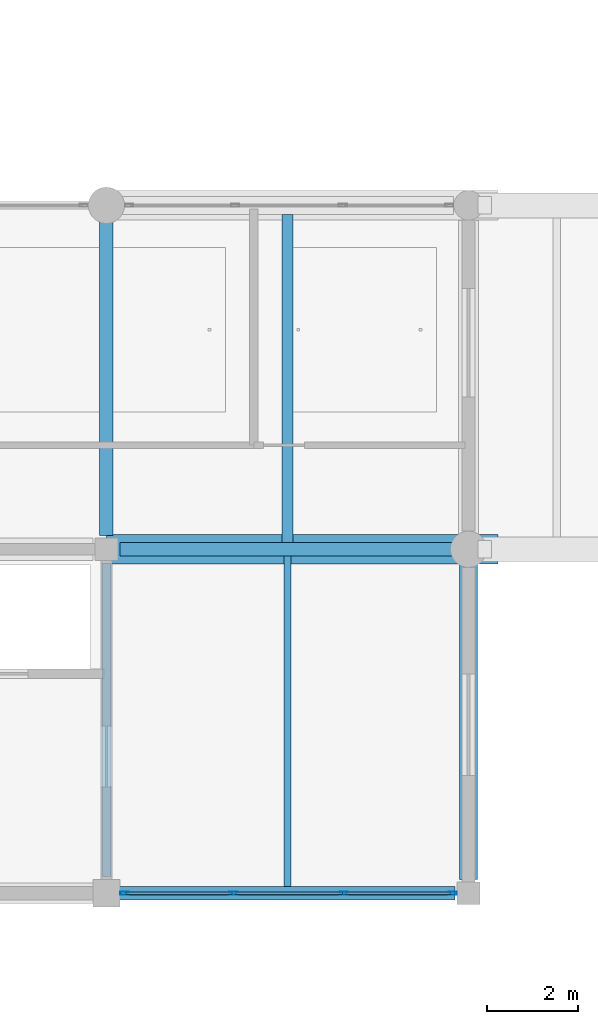
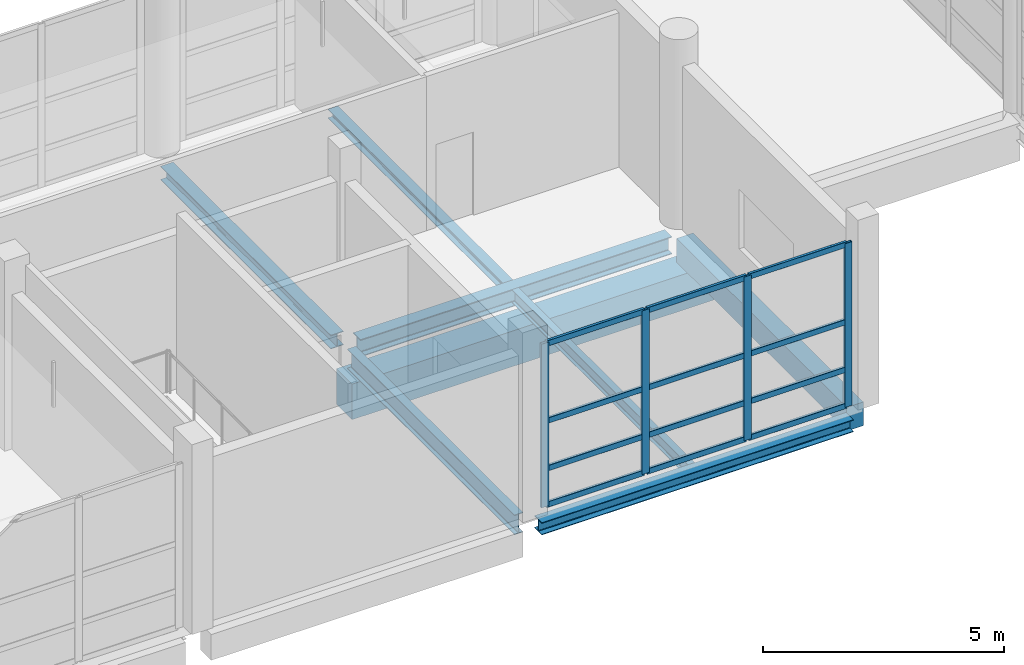
# One storey, part 25 of 107: 16 members, 8 beams, 1 element without a shape of its own.
"""IFC4 building model written with IfcOpenShell, lengths in metres."""

from ifc_helpers import new_model, si_unit, direction, frame, origin, origin_2d, place, context, subcontext, project, spatial, rectangle, hollow_rectangle, i_section, extrude, material, material_profile, profile_set, type_object, element, aggregate, save


model = new_model("IFC4")

# Units and contexts
model_context = context("Model", 3, precision=1e-05, world=origin(), true_north=direction((0.0, 1.0)))
body_context = subcontext(model_context, "Body", "Model", "MODEL_VIEW")
ifc_project = project(units=[si_unit("LENGTHUNIT", "METRE"), si_unit("AREAUNIT", "SQUARE_METRE"), si_unit("VOLUMEUNIT", "CUBIC_METRE"), si_unit("PLANEANGLEUNIT", "RADIAN"), si_unit("MASSUNIT", "GRAM", prefix="KILO")], contexts=[model_context])

# Site, building, storey
site_placement = place(None, origin())
site = spatial("IfcSite", under=ifc_project, at=site_placement, CompositionType="ELEMENT")
building_placement = place(site_placement, origin())
building = spatial("IfcBuilding", under=site, at=building_placement, Name="Khelvaren Railside Concert Hall", CompositionType="ELEMENT")
storey_placement = place(building_placement, frame((0.0, 0.0, 15.0)))
storey = spatial("IfcBuildingStorey", under=building, at=storey_placement, Name="L03", CompositionType="ELEMENT", Elevation=15.0)

# Beams
ifc_material_1 = material(Name="Concrete C40/50", Category="concrete")
ifc_material_profile_1 = material_profile(ifc_material_1, rectangle(XDim=0.64990234375, YDim=0.89990234375, at=origin_2d()), Name="RCB 650x900")
ifc_profile_set_1 = profile_set([ifc_material_profile_1], Name="Concrete C40/50")
beam_type_1 = type_object("IfcBeamType", Name="BM18", PredefinedType="BEAM", material=ifc_profile_set_1)
beam_1_placement = place(storey_placement, frame((128.0, 7.60009765625, -1.639892578125), z_axis=(1.0, 0.0, 0.0), x_axis=(0.0, 1.0, 0.0)))
element("IfcBeam", 1, at=beam_1_placement, inside=storey, type_object=beam_type_1, Name="East Rehearsal Link Bridge L03 Seismic Corbel Seat 1", PredefinedType="BEAM", context=body_context, shape_type="SweptSolid", body=[
    extrude(rectangle(XDim=0.64990234375, YDim=0.89990234375, at=origin_2d()), origin(), (0.0, 0.0, 1.0), 8.64990234375),
])
ifc_material_2 = material(Name="Steel S355", Category="steel")
ifc_material_profile_2 = material_profile(ifc_material_2, i_section(OverallWidth=0.199951171875, OverallDepth=0.5, WebThickness=0.01025390625, FlangeThickness=0.01611328125, FilletRadius=0.02099609375, at=origin_2d()), Name="IPE 500")
ifc_profile_set_2 = profile_set([ifc_material_profile_2], Name="Steel S355")
beam_type_2 = type_object("IfcBeamType", Name="BM62", PredefinedType="BEAM", material=ifc_profile_set_2)
beam_2_placement = place(storey_placement, frame((128.0, 0.375, -0.530029296875), z_axis=(0.0, 1.0, 0.0), x_axis=(-1.0, 0.0, 0.0)))
element("IfcBeam", 2, at=beam_2_placement, inside=storey, type_object=beam_type_2, Name="V3 L03 Beam Y9.1", PredefinedType="BEAM", context=body_context, shape_type="SweptSolid", body=[
    extrude(i_section(OverallWidth=0.199951171875, OverallDepth=0.5, WebThickness=0.01025390625, FlangeThickness=0.01611328125, FilletRadius=0.02099609375, at=origin_2d()), origin(), (0.0, 0.0, 1.0), 6.925048828125),
])
ifc_material_profile_3 = material_profile(ifc_material_2, i_section(OverallWidth=0.300048828125, OverallDepth=0.35009765625, WebThickness=0.010009765625, FlangeThickness=0.017578125, FilletRadius=0.027099609375, at=origin_2d()), Name="HEA 360")
ifc_profile_set_3 = profile_set([ifc_material_profile_3], Name="Steel S355")
beam_type_3 = type_object("IfcBeamType", Name="BM73", PredefinedType="BEAM", material=ifc_profile_set_3)
beam_3_placement = place(storey_placement, frame((128.0, 7.89990234375, -0.455078125), z_axis=(0.0, 1.0, 0.0), x_axis=(-1.0, 0.0, 0.0)))
element("IfcBeam", 3, at=beam_3_placement, inside=storey, type_object=beam_type_3, Name="V3 L03 Beam Y9.2", PredefinedType="BEAM", context=body_context, shape_type="SweptSolid", body=[
    extrude(i_section(OverallWidth=0.300048828125, OverallDepth=0.35009765625, WebThickness=0.010009765625, FlangeThickness=0.017578125, FilletRadius=0.027099609375, at=origin_2d()), origin(), (0.0, 0.0, 1.0), 7.050048828125),
])
ifc_material_profile_4 = material_profile(ifc_material_2, i_section(OverallWidth=0.300048828125, OverallDepth=0.43994140625, WebThickness=0.011474609375, FlangeThickness=0.02099609375, FilletRadius=0.027099609375, at=origin_2d()), Name="HEA 450")
ifc_profile_set_4 = profile_set([ifc_material_profile_4], Name="Steel S355")
beam_type_4 = type_object("IfcBeamType", Name="BM89", PredefinedType="BEAM", material=ifc_profile_set_4)
beam_4_placement = place(storey_placement, frame((128.300048828125, 7.60009765625, -0.5), z_axis=(1.0, 0.0, 0.0), x_axis=(0.0, 1.0, 0.0)))
element("IfcBeam", 4, at=beam_4_placement, inside=storey, type_object=beam_type_4, Name="V3 L03 Beam X2.9", PredefinedType="BEAM", context=body_context, shape_type="SweptSolid", body=[
    extrude(i_section(OverallWidth=0.300048828125, OverallDepth=0.43994140625, WebThickness=0.011474609375, FlangeThickness=0.02099609375, FilletRadius=0.027099609375, at=origin_2d()), origin(), (0.0, 0.0, 1.0), 7.449951171875),
])

# Curtain wall, members
ifc_material_3 = material(Name="Double-glazed low-E dark acoustic glass", Category="glass")
curtain_wall_type = type_object("IfcCurtainWallType", Name="CW69", PredefinedType="USERDEFINED", material=ifc_material_3)
curtain_wall_placement = place(storey_placement, origin())
curtain_wall = element("IfcCurtainWall", 5, at=curtain_wall_placement, inside=storey, type_object=curtain_wall_type, Name="Unitised Curtain Wall CW-V3-L03-S-128", ObjectType="UNITISED CURTAIN WALL", PredefinedType="USERDEFINED")
ifc_material_4 = material(Name="Anodised architectural aluminium 6063-T6", Category="aluminium")
ifc_material_profile_5 = material_profile(ifc_material_4, hollow_rectangle(XDim=0.06494140625, YDim=0.179931640625, WallThickness=0.00390625, InnerFilletRadius=0.001953125, OuterFilletRadius=0.00390625, at=origin_2d()), Name="CWM 65x180x4")
ifc_profile_set_5 = profile_set([ifc_material_profile_5], Name="Anodised architectural aluminium 6063-T6")
member_type_1 = type_object("IfcMemberType", Name="CWM63", PredefinedType="MULLION", material=ifc_profile_set_5)
member_1_placement = place(storey_placement, frame((135.64990234375, 0.0, 0.0), z_axis=(0.0, 0.0, 1.0), x_axis=(0.0, -1.0, 0.0)))
member_1 = element("IfcMember", 6, at=member_1_placement, type_object=member_type_1, Name="CW69 mullion 1", PredefinedType="MULLION", context=body_context, shape_type="SweptSolid", body=[
    extrude(hollow_rectangle(XDim=0.06494140625, YDim=0.179931640625, WallThickness=0.00390625, InnerFilletRadius=0.001953125, OuterFilletRadius=0.00390625, at=origin_2d()), origin(), (0.0, 0.0, 1.0), 4.139892578125),
])
member_2_placement = place(storey_placement, frame((133.244140625, 0.0, 0.0), z_axis=(0.0, 0.0, 1.0), x_axis=(0.0, -1.0, 0.0)))
member_2 = element("IfcMember", 7, at=member_2_placement, type_object=member_type_1, Name="CW69 mullion 2", PredefinedType="MULLION", context=body_context, shape_type="SweptSolid", body=[
    extrude(hollow_rectangle(XDim=0.06494140625, YDim=0.179931640625, WallThickness=0.00390625, InnerFilletRadius=0.001953125, OuterFilletRadius=0.00390625, at=origin_2d()), origin(), (0.0, 0.0, 1.0), 4.139892578125),
])
member_3_placement = place(storey_placement, frame((130.805908203125, 0.0, 0.0), z_axis=(0.0, 0.0, 1.0), x_axis=(0.0, -1.0, 0.0)))
member_3 = element("IfcMember", 8, at=member_3_placement, type_object=member_type_1, Name="CW69 mullion 3", PredefinedType="MULLION", context=body_context, shape_type="SweptSolid", body=[
    extrude(hollow_rectangle(XDim=0.06494140625, YDim=0.179931640625, WallThickness=0.00390625, InnerFilletRadius=0.001953125, OuterFilletRadius=0.00390625, at=origin_2d()), origin(), (0.0, 0.0, 1.0), 4.139892578125),
])
member_4_placement = place(storey_placement, frame((128.39990234375, 0.0, 0.0), z_axis=(0.0, 0.0, 1.0), x_axis=(0.0, -1.0, 0.0)))
member_4 = element("IfcMember", 9, at=member_4_placement, type_object=member_type_1, Name="CW69 mullion 4", PredefinedType="MULLION", context=body_context, shape_type="SweptSolid", body=[
    extrude(hollow_rectangle(XDim=0.06494140625, YDim=0.179931640625, WallThickness=0.00390625, InnerFilletRadius=0.001953125, OuterFilletRadius=0.00390625, at=origin_2d()), origin(), (0.0, 0.0, 1.0), 4.139892578125),
])
ifc_material_profile_6 = material_profile(ifc_material_4, hollow_rectangle(XDim=0.06494140625, YDim=0.139892578125, WallThickness=0.00390625, InnerFilletRadius=0.001953125, OuterFilletRadius=0.00390625, at=origin_2d()), Name="CWT 65x140x4")
ifc_profile_set_6 = profile_set([ifc_material_profile_6], Name="Anodised architectural aluminium 6063-T6")
member_type_2 = type_object("IfcMemberType", Name="CWT72", PredefinedType="USERDEFINED", material=ifc_profile_set_6)
member_5_placement = place(storey_placement, frame((135.617431640625, 0.0, 0.032470703125), z_axis=(-1.0, 0.0, 0.0), x_axis=(0.0, -1.0, 0.0)))
member_5 = element("IfcMember", 10, at=member_5_placement, type_object=member_type_2, Name="CW69 transom 1.1", ObjectType="TRANSOM", PredefinedType="USERDEFINED", context=body_context, shape_type="SweptSolid", body=[
    extrude(hollow_rectangle(XDim=0.06494140625, YDim=0.139892578125, WallThickness=0.00390625, InnerFilletRadius=0.001953125, OuterFilletRadius=0.00390625, at=origin_2d()), origin(), (0.0, 0.0, 1.0), 2.3408203125),
])
member_6_placement = place(storey_placement, frame((135.617431640625, 0.0, 0.949951171875), z_axis=(-1.0, 0.0, 0.0), x_axis=(0.0, -1.0, 0.0)))
member_6 = element("IfcMember", 11, at=member_6_placement, type_object=member_type_2, Name="CW69 transom 1.2", ObjectType="TRANSOM", PredefinedType="USERDEFINED", context=body_context, shape_type="SweptSolid", body=[
    extrude(hollow_rectangle(XDim=0.06494140625, YDim=0.139892578125, WallThickness=0.00390625, InnerFilletRadius=0.001953125, OuterFilletRadius=0.00390625, at=origin_2d()), origin(), (0.0, 0.0, 1.0), 2.3408203125),
])
member_7_placement = place(storey_placement, frame((135.617431640625, 0.0, 2.15283203125), z_axis=(-1.0, 0.0, 0.0), x_axis=(0.0, -1.0, 0.0)))
member_7 = element("IfcMember", 12, at=member_7_placement, type_object=member_type_2, Name="CW69 transom 1.3", ObjectType="TRANSOM", PredefinedType="USERDEFINED", context=body_context, shape_type="SweptSolid", body=[
    extrude(hollow_rectangle(XDim=0.06494140625, YDim=0.139892578125, WallThickness=0.00390625, InnerFilletRadius=0.001953125, OuterFilletRadius=0.00390625, at=origin_2d()), origin(), (0.0, 0.0, 1.0), 2.3408203125),
])
member_8_placement = place(storey_placement, frame((135.617431640625, 0.0, 4.107421875), z_axis=(-1.0, 0.0, 0.0), x_axis=(0.0, -1.0, 0.0)))
member_8 = element("IfcMember", 13, at=member_8_placement, type_object=member_type_2, Name="CW69 transom 1.4", ObjectType="TRANSOM", PredefinedType="USERDEFINED", context=body_context, shape_type="SweptSolid", body=[
    extrude(hollow_rectangle(XDim=0.06494140625, YDim=0.139892578125, WallThickness=0.00390625, InnerFilletRadius=0.001953125, OuterFilletRadius=0.00390625, at=origin_2d()), origin(), (0.0, 0.0, 1.0), 2.3408203125),
])
member_9_placement = place(storey_placement, frame((133.211669921875, 0.0, 0.032470703125), z_axis=(-1.0, 0.0, 0.0), x_axis=(0.0, -1.0, 0.0)))
member_9 = element("IfcMember", 14, at=member_9_placement, type_object=member_type_2, Name="CW69 transom 2.1", ObjectType="TRANSOM", PredefinedType="USERDEFINED", context=body_context, shape_type="SweptSolid", body=[
    extrude(hollow_rectangle(XDim=0.06494140625, YDim=0.139892578125, WallThickness=0.00390625, InnerFilletRadius=0.001953125, OuterFilletRadius=0.00390625, at=origin_2d()), origin(), (0.0, 0.0, 1.0), 2.373291015625),
])
member_10_placement = place(storey_placement, frame((133.211669921875, 0.0, 0.949951171875), z_axis=(-1.0, 0.0, 0.0), x_axis=(0.0, -1.0, 0.0)))
member_10 = element("IfcMember", 15, at=member_10_placement, type_object=member_type_2, Name="CW69 transom 2.2", ObjectType="TRANSOM", PredefinedType="USERDEFINED", context=body_context, shape_type="SweptSolid", body=[
    extrude(hollow_rectangle(XDim=0.06494140625, YDim=0.139892578125, WallThickness=0.00390625, InnerFilletRadius=0.001953125, OuterFilletRadius=0.00390625, at=origin_2d()), origin(), (0.0, 0.0, 1.0), 2.373291015625),
])
member_11_placement = place(storey_placement, frame((133.211669921875, 0.0, 2.15283203125), z_axis=(-1.0, 0.0, 0.0), x_axis=(0.0, -1.0, 0.0)))
member_11 = element("IfcMember", 16, at=member_11_placement, type_object=member_type_2, Name="CW69 transom 2.3", ObjectType="TRANSOM", PredefinedType="USERDEFINED", context=body_context, shape_type="SweptSolid", body=[
    extrude(hollow_rectangle(XDim=0.06494140625, YDim=0.139892578125, WallThickness=0.00390625, InnerFilletRadius=0.001953125, OuterFilletRadius=0.00390625, at=origin_2d()), origin(), (0.0, 0.0, 1.0), 2.373291015625),
])
member_12_placement = place(storey_placement, frame((133.211669921875, 0.0, 4.107421875), z_axis=(-1.0, 0.0, 0.0), x_axis=(0.0, -1.0, 0.0)))
member_12 = element("IfcMember", 17, at=member_12_placement, type_object=member_type_2, Name="CW69 transom 2.4", ObjectType="TRANSOM", PredefinedType="USERDEFINED", context=body_context, shape_type="SweptSolid", body=[
    extrude(hollow_rectangle(XDim=0.06494140625, YDim=0.139892578125, WallThickness=0.00390625, InnerFilletRadius=0.001953125, OuterFilletRadius=0.00390625, at=origin_2d()), origin(), (0.0, 0.0, 1.0), 2.373291015625),
])
member_13_placement = place(storey_placement, frame((130.7734375, 0.0, 0.032470703125), z_axis=(-1.0, 0.0, 0.0), x_axis=(0.0, -1.0, 0.0)))
member_13 = element("IfcMember", 18, at=member_13_placement, type_object=member_type_2, Name="CW69 transom 3.1", ObjectType="TRANSOM", PredefinedType="USERDEFINED", context=body_context, shape_type="SweptSolid", body=[
    extrude(hollow_rectangle(XDim=0.06494140625, YDim=0.139892578125, WallThickness=0.00390625, InnerFilletRadius=0.001953125, OuterFilletRadius=0.00390625, at=origin_2d()), origin(), (0.0, 0.0, 1.0), 2.3408203125),
])
member_14_placement = place(storey_placement, frame((130.7734375, 0.0, 0.949951171875), z_axis=(-1.0, 0.0, 0.0), x_axis=(0.0, -1.0, 0.0)))
member_14 = element("IfcMember", 19, at=member_14_placement, type_object=member_type_2, Name="CW69 transom 3.2", ObjectType="TRANSOM", PredefinedType="USERDEFINED", context=body_context, shape_type="SweptSolid", body=[
    extrude(hollow_rectangle(XDim=0.06494140625, YDim=0.139892578125, WallThickness=0.00390625, InnerFilletRadius=0.001953125, OuterFilletRadius=0.00390625, at=origin_2d()), origin(), (0.0, 0.0, 1.0), 2.3408203125),
])
member_15_placement = place(storey_placement, frame((130.7734375, 0.0, 2.15283203125), z_axis=(-1.0, 0.0, 0.0), x_axis=(0.0, -1.0, 0.0)))
member_15 = element("IfcMember", 20, at=member_15_placement, type_object=member_type_2, Name="CW69 transom 3.3", ObjectType="TRANSOM", PredefinedType="USERDEFINED", context=body_context, shape_type="SweptSolid", body=[
    extrude(hollow_rectangle(XDim=0.06494140625, YDim=0.139892578125, WallThickness=0.00390625, InnerFilletRadius=0.001953125, OuterFilletRadius=0.00390625, at=origin_2d()), origin(), (0.0, 0.0, 1.0), 2.3408203125),
])
member_16_placement = place(storey_placement, frame((130.7734375, 0.0, 4.107421875), z_axis=(-1.0, 0.0, 0.0), x_axis=(0.0, -1.0, 0.0)))
member_16 = element("IfcMember", 21, at=member_16_placement, type_object=member_type_2, Name="CW69 transom 3.4", ObjectType="TRANSOM", PredefinedType="USERDEFINED", context=body_context, shape_type="SweptSolid", body=[
    extrude(hollow_rectangle(XDim=0.06494140625, YDim=0.139892578125, WallThickness=0.00390625, InnerFilletRadius=0.001953125, OuterFilletRadius=0.00390625, at=origin_2d()), origin(), (0.0, 0.0, 1.0), 2.3408203125),
])
aggregate(curtain_wall, [member_1, member_2, member_3, member_4, member_5, member_6, member_7, member_8, member_9, member_10, member_11, member_12, member_13, member_14, member_15, member_16])

# Beams
ifc_material_profile_7 = material_profile(ifc_material_2, i_section(OverallWidth=0.159912109375, OverallDepth=0.330078125, WebThickness=0.007568359375, FlangeThickness=0.011474609375, FilletRadius=0.01806640625, at=origin_2d()), Name="IPE 330")
ifc_profile_set_7 = profile_set([ifc_material_profile_7], Name="Steel S355")
beam_type_5 = type_object("IfcBeamType", Name="JS65", PredefinedType="JOIST", material=ifc_profile_set_7)
beam_5_placement = place(storey_placement, frame((132.0, 0.14990234375, -0.445068359375), z_axis=(0.0, 1.0, 0.0), x_axis=(-1.0, 0.0, 0.0)))
element("IfcBeam", 22, at=beam_5_placement, inside=storey, type_object=beam_type_5, Name="V3 L03 Secondary Joist 9.1", PredefinedType="JOIST", context=body_context, shape_type="SweptSolid", body=[
    extrude(i_section(OverallWidth=0.159912109375, OverallDepth=0.330078125, WebThickness=0.007568359375, FlangeThickness=0.011474609375, FilletRadius=0.01806640625, at=origin_2d()), origin(), (0.0, 0.0, 1.0), 7.300048828125),
])
ifc_material_profile_8 = material_profile(ifc_material_2, i_section(OverallWidth=0.239990234375, OverallDepth=0.22998046875, WebThickness=0.007568359375, FlangeThickness=0.011962890625, FilletRadius=0.02099609375, at=origin_2d()), Name="HEA 240")
ifc_profile_set_8 = profile_set([ifc_material_profile_8], Name="Steel S355")
beam_type_6 = type_object("IfcBeamType", Name="JS76", PredefinedType="JOIST", material=ifc_profile_set_8)
beam_6_placement = place(storey_placement, frame((132.0, 7.75, -0.39501953125), z_axis=(0.0, 1.0, 0.0), x_axis=(-1.0, 0.0, 0.0)))
element("IfcBeam", 23, at=beam_6_placement, inside=storey, type_object=beam_type_6, Name="V3 L03 Secondary Joist 9.2", PredefinedType="JOIST", context=body_context, shape_type="SweptSolid", body=[
    extrude(i_section(OverallWidth=0.239990234375, OverallDepth=0.22998046875, WebThickness=0.007568359375, FlangeThickness=0.011962890625, FilletRadius=0.02099609375, at=origin_2d()), origin(), (0.0, 0.0, 1.0), 7.25),
])
ifc_material_profile_9 = material_profile(ifc_material_2, i_section(OverallWidth=0.300048828125, OverallDepth=0.31005859375, WebThickness=0.009033203125, FlangeThickness=0.015380859375, FilletRadius=0.027099609375, at=origin_2d()), Name="HEA 320")
ifc_profile_set_9 = profile_set([ifc_material_profile_9], Name="Steel S355")
beam_type_7 = type_object("IfcBeamType", Name="SP66", PredefinedType="SPANDREL", material=ifc_profile_set_9)
beam_7_placement = place(storey_placement, frame((128.25, 0.0, -0.43505859375), z_axis=(1.0, 0.0, 0.0), x_axis=(0.0, 1.0, 0.0)))
element("IfcBeam", 24, at=beam_7_placement, inside=storey, type_object=beam_type_7, Name="V3 L03 Spandrel X1.9", PredefinedType="SPANDREL", context=body_context, shape_type="SweptSolid", body=[
    extrude(i_section(OverallWidth=0.300048828125, OverallDepth=0.31005859375, WebThickness=0.009033203125, FlangeThickness=0.015380859375, FilletRadius=0.027099609375, at=origin_2d()), origin(), (0.0, 0.0, 1.0), 7.449951171875),
])
ifc_material_profile_10 = material_profile(ifc_material_1, rectangle(XDim=0.39990234375, YDim=0.60009765625, at=origin_2d()), Name="RCB 400x600")
ifc_profile_set_10 = profile_set([ifc_material_profile_10], Name="Concrete C40/50")
beam_type_8 = type_object("IfcBeamType", Name="SP75", PredefinedType="SPANDREL", material=ifc_profile_set_10)
beam_8_placement = place(storey_placement, frame((136.0, 0.300048828125, -0.580078125), z_axis=(0.0, 1.0, 0.0), x_axis=(-1.0, 0.0, 0.0)))
element("IfcBeam", 25, at=beam_8_placement, inside=storey, type_object=beam_type_8, Name="V3 L03 Spandrel Y10.1", PredefinedType="SPANDREL", context=body_context, shape_type="SweptSolid", body=[
    extrude(rectangle(XDim=0.39990234375, YDim=0.60009765625, at=origin_2d()), origin(), (0.0, 0.0, 1.0), 7.050048828125),
])

save(model, "model.ifc")
